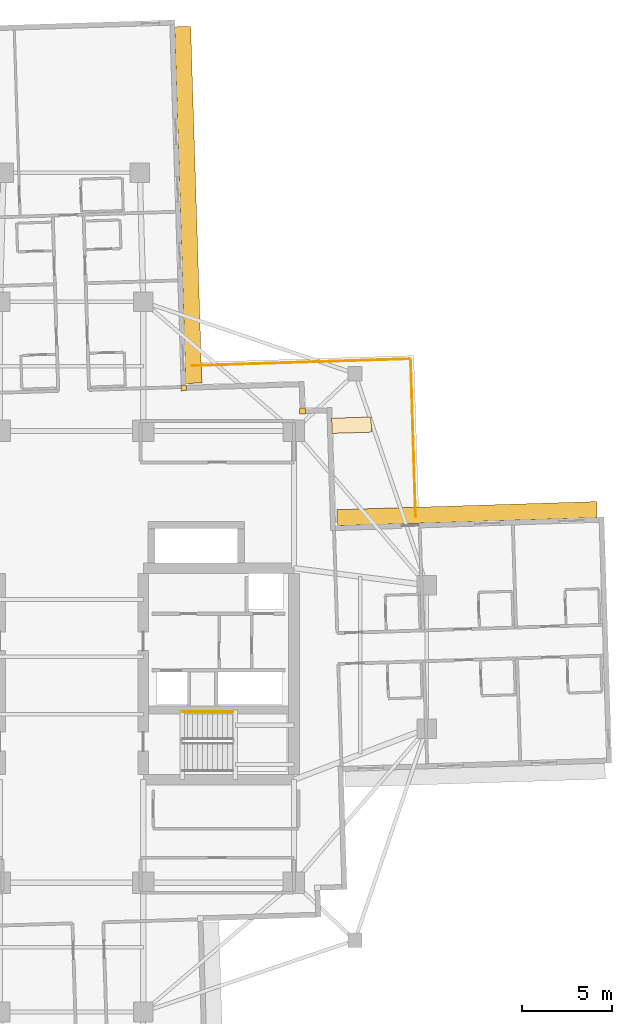
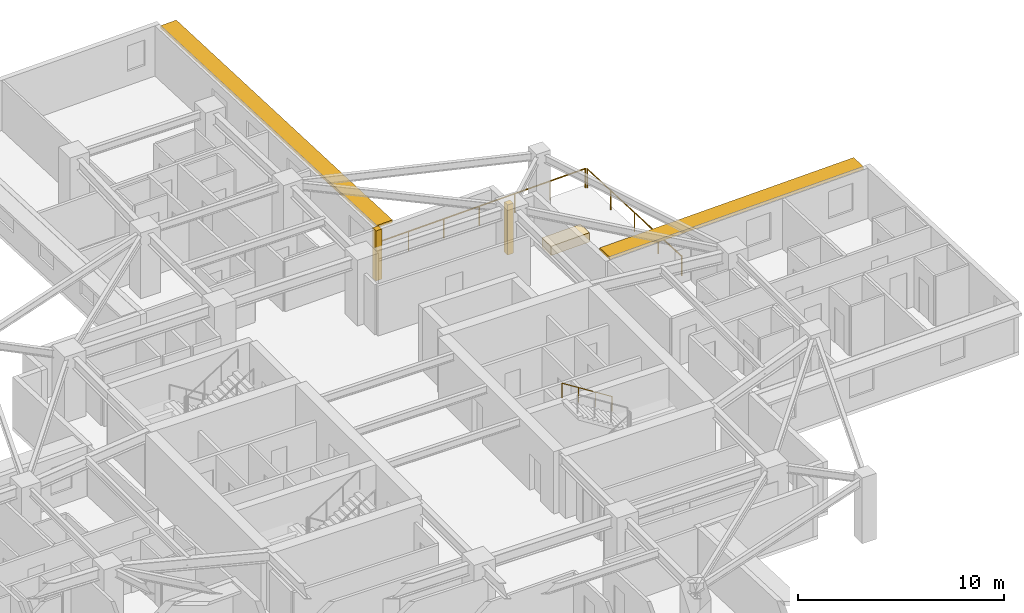
# One storey, part 14 of 14: 3 coverings, 3 railings, 2 shading devices.
"""IFC4 building model written with IfcOpenShell, lengths in metres."""

from ifc_helpers import new_model, si_unit, direction, frame, origin, origin_2d, place, context, subcontext, project, spatial, rectangle, circle, extrude, material, layer, layer_set, type_object, element, save


model = new_model("IFC4")

# Units and contexts
model_context = context("Model", 3, precision=1e-05, world=origin(), true_north=direction((0.0, 1.0)))
body_context = subcontext(model_context, "Body", "Model", "MODEL_VIEW")
ifc_project = project(units=[si_unit("LENGTHUNIT", "METRE"), si_unit("AREAUNIT", "SQUARE_METRE"), si_unit("VOLUMEUNIT", "CUBIC_METRE"), si_unit("PLANEANGLEUNIT", "RADIAN"), si_unit("MASSUNIT", "GRAM", prefix="KILO")], contexts=[model_context])

# Site, building, storey
site_placement = place(None, origin())
site = spatial("IfcSite", under=ifc_project, at=site_placement, CompositionType="ELEMENT")
building_placement = place(site_placement, origin())
building = spatial("IfcBuilding", under=site, at=building_placement, Name="Qingluan Cross Belvedere", CompositionType="ELEMENT")
storey_placement = place(building_placement, frame((0.0, 0.0, 135.89990234375)))
storey = spatial("IfcBuildingStorey", under=building, at=storey_placement, Name="L34", CompositionType="ELEMENT", Elevation=135.89990234375)

# Coverings
ifc_material_1 = material(Name="Precast concrete C45", Category="concrete")
ifc_layer_1 = layer(ifc_material_1, 0.1201171875, Name="ConcreteSpandrelCladding_120")
ifc_layer_set_1 = layer_set([ifc_layer_1], Name="Precast concrete C45")
covering_type_1 = type_object("IfcCoveringType", Name="ConcreteSpandrelCladding_120", PredefinedType="CLADDING", material=ifc_layer_set_1)
for number, where, z_axis, x_axis, name in (
    (1, (12.875732421875, 13.711181640625, 0.0), (0.0, 0.0, 1.0), (0.999506560366, 0.031410759078, 0.0), "Corner closure L34-NE1"),
    (2, (6.251708984375, 15.00390625, 0.0), (0.0, 0.0, 1.0), (0.999506560366, 0.031410759078, 0.0), "Corner closure L34-NE2"),
):
    element("IfcCovering", number, at=place(storey_placement, frame(where, z_axis=z_axis, x_axis=x_axis)), inside=storey, type_object=covering_type_1, Name=name, PredefinedType="CLADDING", context=body_context, shape_type="SweptSolid", body=[
        extrude(rectangle(XDim=0.320068359375, YDim=0.320068359375, at=origin_2d()), origin(), (0.0, 0.0, 1.0), 2.969970703125),
    ])

# Shading devices
ifc_material_2 = material(Name="Precast concrete C45", Category="concrete")
ifc_layer_2 = layer(ifc_material_2, 0.159912109375, Name="ConcreteSunshadeBand_900")
ifc_layer_set_2 = layer_set([ifc_layer_2], Name="Precast concrete C45")
shading_device_type = type_object("IfcShadingDeviceType", Name="ConcreteSunshadeBand_900", PredefinedType="USERDEFINED", material=ifc_layer_set_2)
shading_device_1_placement = place(storey_placement, frame((22.050048828125, 7.986572265625, 2.7900390625), z_axis=(0.0, 0.0, 1.0), x_axis=(-0.999506645453, -0.031408051437, 0.0)))
element("IfcShadingDevice", 3, at=shading_device_1_placement, inside=storey, type_object=shading_device_type, Name="Concrete SUNSHADE L34-EB", ObjectType="SUNSHADE", PredefinedType="USERDEFINED", context=body_context, shape_type="SweptSolid", body=[
    extrude(rectangle(XDim=14.5, YDim=0.89990234375, at=origin_2d()), origin(), (0.0, 0.0, 1.0), 0.159912109375),
])
shading_device_2_placement = place(storey_placement, frame((6.50146484375, 25.206787109375, 2.7900390625), z_axis=(0.0, 0.0, 1.0), x_axis=(-0.031407934627, 0.999506649124, 0.0)))
element("IfcShadingDevice", 4, at=shading_device_2_placement, inside=storey, type_object=shading_device_type, Name="Concrete SUNSHADE L34-NA", ObjectType="SUNSHADE", PredefinedType="USERDEFINED", context=body_context, shape_type="SweptSolid", body=[
    extrude(rectangle(XDim=19.89990234375, YDim=0.89990234375, at=origin_2d()), origin(), (0.0, 0.0, 1.0), 0.159912109375),
])

# Railings
ifc_material_3 = material(Name="Brushed stainless steel tubular handrail", Category="steel")
railing_type_1 = type_object("IfcRailingType", Name="StairPitchHandrail_900", PredefinedType="HANDRAIL", material=ifc_material_3)
railing_1_placement = place(storey_placement, frame((8.97998046875, -3.050048828125, 2.12744140625)))
element("IfcRailing", 5, at=railing_1_placement, inside=storey, type_object=railing_type_1, Name="L34 ST2 stair handrail 2", PredefinedType="HANDRAIL", context=body_context, shape_type="SweptSolid", body=[
    extrude(circle(Radius=0.02392578125, at=origin_2d()), frame((0.0, 0.0, 0.8759765625), z_axis=(-0.844908973607, 0.0, 0.534910110503), x_axis=(0.0, -1.0, 0.0)), (0.0, 0.0, 1.0), 3.31396484375),
    extrude(circle(Radius=0.02099609375, at=origin_2d()), origin(), (0.0, 0.0, 1.0), 0.851806640625),
    extrude(circle(Radius=0.02099609375, at=origin_2d()), frame((-0.933349609375, 0.0, 0.5908203125)), (0.0, 0.0, 1.0), 0.851806640625),
    extrude(circle(Radius=0.02099609375, at=origin_2d()), frame((-1.86669921875, 0.0, 1.181884765625)), (0.0, 0.0, 1.0), 0.851806640625),
    extrude(circle(Radius=0.02099609375, at=origin_2d()), frame((-2.800048828125, 0.0, 1.772705078125)), (0.0, 0.0, 1.0), 0.851806640625),
])
ifc_material_4 = material(Name="Laminated glass and stainless steel balustrade", Category="steel")
railing_type_2 = type_object("IfcRailingType", Name="TerraceGuardBalustrade_1150", PredefinedType="BALUSTRADE", material=ifc_material_4)
railing_2_placement = place(storey_placement, frame((6.733154296875, 16.239501953125, 0.0)))
element("IfcRailing", 6, at=railing_2_placement, inside=storey, type_object=railing_type_2, Name="Terrace guard L34-1", PredefinedType="BALUSTRADE", context=body_context, shape_type="SweptSolid", body=[
    extrude(circle(Radius=0.02392578125, at=origin_2d()), frame((0.0, 0.0, 1.1259765625), z_axis=(0.999506795162, 0.031403286853, 0.0), x_axis=(-0.031403286853, 0.999506795162, 0.0)), (0.0, 0.0, 1.0), 12.1201171875),
    extrude(circle(Radius=0.02099609375, at=origin_2d()), origin(), (0.0, 0.0, 1.0), 1.101806640625),
    extrude(circle(Radius=0.02099609375, at=origin_2d()), frame((2.01904296875, 0.0634765625, 0.0)), (0.0, 0.0, 1.0), 1.101806640625),
    extrude(circle(Radius=0.02099609375, at=origin_2d()), frame((4.0380859375, 0.126953125, 0.0)), (0.0, 0.0, 1.0), 1.101806640625),
    extrude(circle(Radius=0.02099609375, at=origin_2d()), frame((6.05712890625, 0.1904296875, 0.0)), (0.0, 0.0, 1.0), 1.101806640625),
    extrude(circle(Radius=0.02099609375, at=origin_2d()), frame((8.076171875, 0.253662109375, 0.0)), (0.0, 0.0, 1.0), 1.101806640625),
    extrude(circle(Radius=0.02099609375, at=origin_2d()), frame((10.09521484375, 0.317138671875, 0.0)), (0.0, 0.0, 1.0), 1.101806640625),
    extrude(circle(Radius=0.02099609375, at=origin_2d()), frame((12.1142578125, 0.380615234375, 0.0)), (0.0, 0.0, 1.0), 1.101806640625),
])
railing_3_placement = place(storey_placement, frame((18.9091796875, 16.562255859375, 0.0)))
element("IfcRailing", 7, at=railing_3_placement, inside=storey, type_object=railing_type_2, Name="Terrace guard L34-2", PredefinedType="BALUSTRADE", context=body_context, shape_type="SweptSolid", body=[
    extrude(circle(Radius=0.02392578125, at=origin_2d()), frame((0.0, 0.0, 1.1259765625), z_axis=(0.031413061052, -0.999506488021, 0.0), x_axis=(0.999506488021, 0.031413061052, 0.0)), (0.0, 0.0, 1.0), 8.72021484375),
    extrude(circle(Radius=0.02099609375, at=origin_2d()), origin(), (0.0, 0.0, 1.0), 1.101806640625),
    extrude(circle(Radius=0.02099609375, at=origin_2d()), frame((0.068359375, -2.178955078125, 0.0)), (0.0, 0.0, 1.0), 1.101806640625),
    extrude(circle(Radius=0.02099609375, at=origin_2d()), frame((0.136962890625, -4.35791015625, 0.0)), (0.0, 0.0, 1.0), 1.101806640625),
    extrude(circle(Radius=0.02099609375, at=origin_2d()), frame((0.20556640625, -6.536865234375, 0.0)), (0.0, 0.0, 1.0), 1.101806640625),
    extrude(circle(Radius=0.02099609375, at=origin_2d()), frame((0.27392578125, -8.7158203125, 0.0)), (0.0, 0.0, 1.0), 1.101806640625),
])

# Covering
ifc_material_5 = material(Name="Precast concrete C40", Category="concrete")
ifc_layer_3 = layer(ifc_material_5, 0.550048828125, Name="TerracePlanterBox")
ifc_layer_set_3 = layer_set([ifc_layer_3], Name="Precast concrete C40")
covering_type_2 = type_object("IfcCoveringType", Name="TerracePlanterBox", PredefinedType="USERDEFINED", material=ifc_layer_set_3)
covering_placement = place(storey_placement, frame((15.611083984375, 12.922119140625, 0.0), z_axis=(0.0, 0.0, 1.0), x_axis=(0.999506560366, 0.031410759078, 0.0)))
element("IfcCovering", 8, at=covering_placement, inside=storey, type_object=covering_type_2, Name="Spiralling winter-garden planter L34", ObjectType="PLANTER", PredefinedType="USERDEFINED", context=body_context, shape_type="SweptSolid", body=[
    extrude(rectangle(XDim=2.199951171875, YDim=0.85009765625, at=origin_2d()), origin(), (0.0, 0.0, 1.0), 0.550048828125),
])

save(model, "model.ifc")
